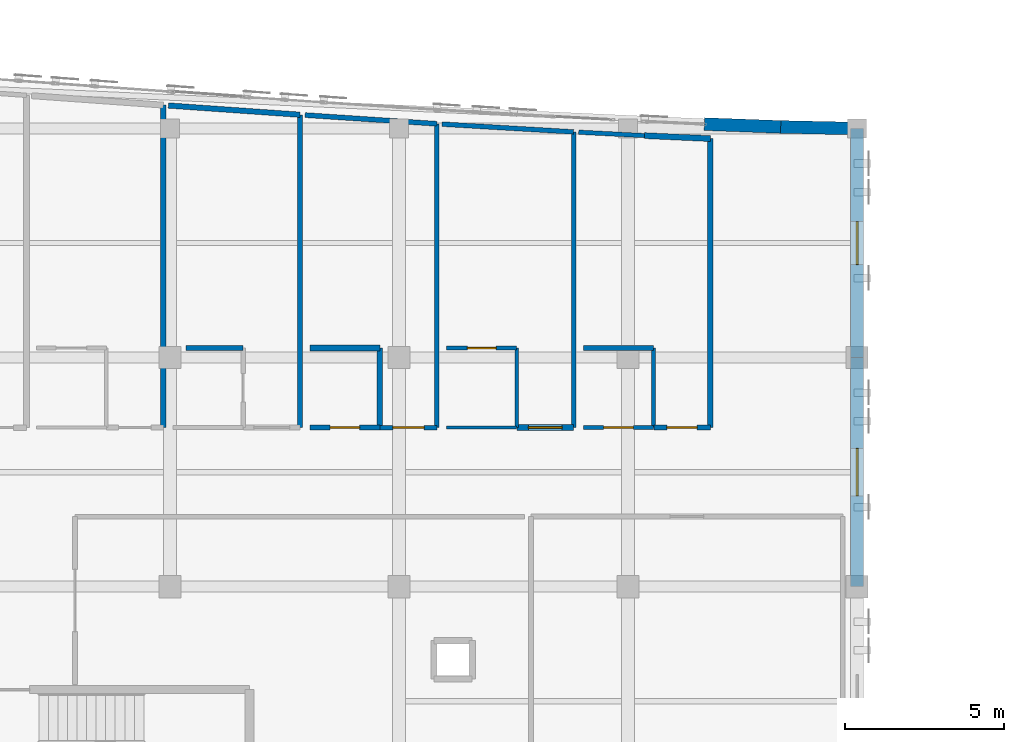
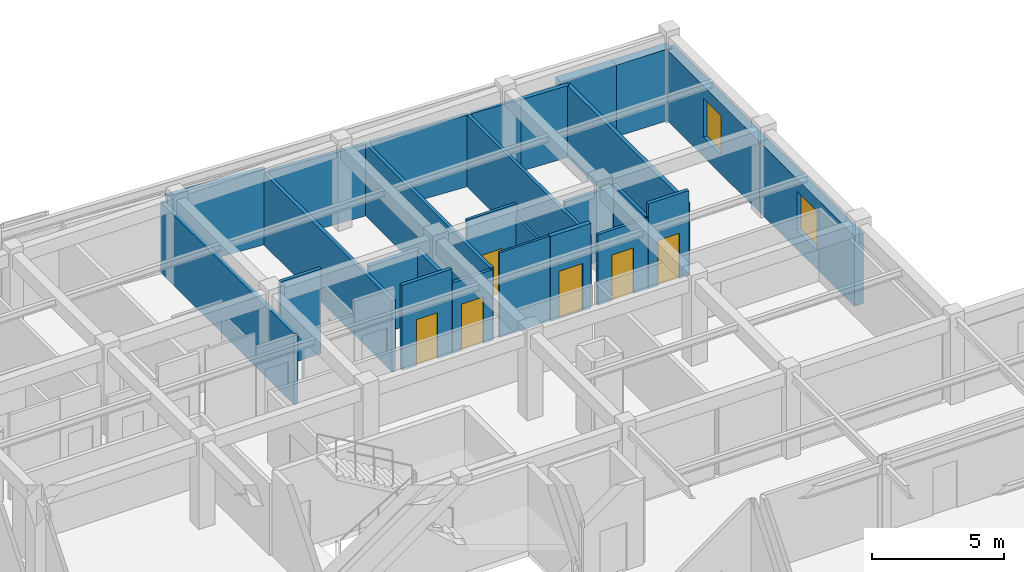
# One storey, part 101 of 113: 27 walls, 6 doors, 2 windows, 8 openings.
"""IFC4 building model written with IfcOpenShell, lengths in metres."""

from ifc_helpers import new_model, si_unit, direction, frame, frame_2d, origin, place, context, subcontext, project, spatial, rectangle, extrude, material, layer, layer_set, type_object, element, fill, save


model = new_model("IFC4")

# Units and contexts
model_context = context("Model", 3, precision=1e-05, world=origin(), true_north=direction((0.0, 1.0)))
body_context = subcontext(model_context, "Body", "Model", "MODEL_VIEW")
ifc_project = project(units=[si_unit("LENGTHUNIT", "METRE"), si_unit("AREAUNIT", "SQUARE_METRE"), si_unit("VOLUMEUNIT", "CUBIC_METRE"), si_unit("PLANEANGLEUNIT", "RADIAN"), si_unit("MASSUNIT", "GRAM", prefix="KILO")], contexts=[model_context])

# Site, building, storey
site_placement = place(None, origin())
site = spatial("IfcSite", under=ifc_project, at=site_placement, CompositionType="ELEMENT")
building_placement = place(site_placement, origin())
building = spatial("IfcBuilding", under=site, at=building_placement, Name="Carrowvane Square Congress Hotel", CompositionType="ELEMENT")
storey_placement = place(building_placement, frame((0.0, 0.0, 15.0)))
storey = spatial("IfcBuildingStorey", under=building, at=storey_placement, Name="L03", CompositionType="ELEMENT", Elevation=15.0)

# Walls
ifc_material_1 = material(Name="Glazed terracotta rainscreen", Category="masonry")
ifc_layer_1 = layer(ifc_material_1, 0.39990234375)
ifc_layer_set_1 = layer_set([ifc_layer_1], Name="Glazed terracotta rainscreen")
wall_type_1 = type_object("IfcWallType", Name="WL-EXT-TC400", PredefinedType="STANDARD", material=ifc_layer_set_1)
wall_1_placement = place(storey_placement, frame((158.0, 113.541015625, 0.0), z_axis=(0.0, 0.0, 1.0), x_axis=(0.99930757318, -0.037207179225, 0.0)))
element("IfcWall", 1, at=wall_1_placement, inside=storey, type_object=wall_type_1, Name="L03 exterior facade wall 356", PredefinedType="STANDARD", context=body_context, shape_type="SweptSolid", body=[
    extrude(rectangle(XDim=2.401611328125, YDim=0.39990234375, at=frame_2d((1.20068359375, 0.0))), origin(), (0.0, 0.0, 1.0), 3.324951171875),
])
wall_2_placement = place(storey_placement, frame((160.39990234375, 113.45166015625, 0.0), z_axis=(0.0, 0.0, 1.0), x_axis=(0.999767568547, -0.021559426766, 0.0)))
element("IfcWall", 2, at=wall_2_placement, inside=storey, type_object=wall_type_1, Name="L03 exterior facade wall 357", PredefinedType="STANDARD", context=body_context, shape_type="SweptSolid", body=[
    extrude(rectangle(XDim=2.400634765625, YDim=0.39990234375, at=frame_2d((1.2001953125, 0.0))), origin(), (0.0, 0.0, 1.0), 3.324951171875),
])

# Wall, opening, window
wall_3_placement = place(storey_placement, frame((162.800048828125, 113.39990234375, 0.0), z_axis=(0.0, 0.0, 1.0), x_axis=(0.0, -1.0, 0.0)))
wall_3 = element("IfcWall", 3, at=wall_3_placement, inside=storey, type_object=wall_type_1, Name="L03 exterior facade wall 358", PredefinedType="STANDARD", context=body_context, shape_type="SweptSolid", body=[
    extrude(rectangle(XDim=7.199951171875, YDim=0.39990234375, at=frame_2d((3.60009765625, 0.0))), origin(), (0.0, 0.0, 1.0), 3.27490234375),
])
opening_1_placement = place(wall_3_placement, frame((2.925048828125, 0.0, 0.89990234375)))
opening_1 = element("IfcOpeningElement", 4, at=opening_1_placement, cuts=wall_3, Name="Opening W-02", PredefinedType="OPENING", context=body_context, shape_type="SweptSolid", body=[
    extrude(rectangle(XDim=1.35009765625, YDim=1.800048828125, at=frame_2d((0.675048828125, 0.89990234375))), frame((0.0, 0.2099609375, 0.0), z_axis=(0.0, -1.0, 0.0), x_axis=(1.0, 0.0, 0.0)), (0.0, 0.0, 1.0), 0.419921875),
])
ifc_material_2 = material(Name="Double-glazed low-E glass", Category="glass")
window_type_1 = type_object("IfcWindowType", Name="WIN-02", PartitioningType="SINGLE_PANEL", PredefinedType="WINDOW", material=ifc_material_2)
window_1_placement = place(opening_1_placement, origin())
window_1 = element("IfcWindow", 5, at=window_1_placement, inside=storey, type_object=window_type_1, Name="L03 facade window 177", OverallHeight=1.800048828125, OverallWidth=1.35009765625, PartitioningType="SINGLE_PANEL", PredefinedType="WINDOW", context=body_context, shape_type="SweptSolid", body=[
    extrude(rectangle(XDim=1.35009765625, YDim=1.800048828125, at=frame_2d((0.675048828125, 0.89990234375))), frame((0.0, 0.030029296875, 0.0), z_axis=(0.0, -1.0, 0.0), x_axis=(1.0, 0.0, 0.0)), (0.0, 0.0, 1.0), 0.06005859375),
])
fill(opening_1, window_1)

wall_4_placement = place(storey_placement, frame((162.800048828125, 106.199951171875, 0.0), z_axis=(0.0, 0.0, 1.0), x_axis=(0.0, -1.0, 0.0)))
wall_4 = element("IfcWall", 6, at=wall_4_placement, inside=storey, type_object=wall_type_1, Name="L03 exterior facade wall 359", PredefinedType="STANDARD", context=body_context, shape_type="SweptSolid", body=[
    extrude(rectangle(XDim=7.199951171875, YDim=0.39990234375, at=frame_2d((3.60009765625, 0.0))), origin(), (0.0, 0.0, 1.0), 3.27490234375),
])
opening_2_placement = place(wall_4_placement, frame((2.85009765625, 0.0, 0.89990234375)))
opening_2 = element("IfcOpeningElement", 7, at=opening_2_placement, cuts=wall_4, Name="Opening W-03", PredefinedType="OPENING", context=body_context, shape_type="SweptSolid", body=[
    extrude(rectangle(XDim=1.5, YDim=1.800048828125, at=frame_2d((0.75, 0.89990234375))), frame((0.0, 0.2099609375, 0.0), z_axis=(0.0, -1.0, 0.0), x_axis=(1.0, 0.0, 0.0)), (0.0, 0.0, 1.0), 0.419921875),
])
ifc_material_3 = material(Name="Double-glazed low-E glass", Category="glass")
window_type_2 = type_object("IfcWindowType", Name="WIN-03", PartitioningType="SINGLE_PANEL", PredefinedType="WINDOW", material=ifc_material_3)
window_2_placement = place(opening_2_placement, origin())
window_2 = element("IfcWindow", 8, at=window_2_placement, inside=storey, type_object=window_type_2, Name="L03 facade window 178", OverallHeight=1.800048828125, OverallWidth=1.5, PartitioningType="SINGLE_PANEL", PredefinedType="WINDOW", context=body_context, shape_type="SweptSolid", body=[
    extrude(rectangle(XDim=1.5, YDim=1.800048828125, at=frame_2d((0.75, 0.89990234375))), frame((0.0, 0.030029296875, 0.0), z_axis=(0.0, -1.0, 0.0), x_axis=(1.0, 0.0, 0.0)), (0.0, 0.0, 1.0), 0.06005859375),
])
fill(opening_2, window_2)

# Wall
ifc_material_4 = material(Name="Acoustic gypsum board", Category="gypsum")
ifc_layer_2 = layer(ifc_material_4, 0.155029296875)
ifc_layer_set_2 = layer_set([ifc_layer_2], Name="Acoustic gypsum board")
wall_type_2 = type_object("IfcWallType", Name="WL-FIR-155", PredefinedType="PARTITIONING", material=ifc_layer_set_2)
wall_5_placement = place(storey_placement, frame((145.2900390625, 113.83447265625, 0.0), z_axis=(0.0, 0.0, 1.0), x_axis=(0.0, -1.0, 0.0)))
element("IfcWall", 9, at=wall_5_placement, inside=storey, type_object=wall_type_2, Name="L03 Parkview Guest Bedroom 0322 partition", PredefinedType="PARTITIONING", context=body_context, shape_type="SweptSolid", body=[
    extrude(rectangle(XDim=9.83447265625, YDim=0.155029296875, at=frame_2d((4.917236328125, 0.0))), origin(), (0.0, 0.0, 1.0), 3.324951171875),
])

# Wall, opening, door
wall_6_placement = place(storey_placement, frame((147.800048828125, 104.0, 0.0), z_axis=(0.0, 0.0, 1.0), x_axis=(-1.0, 0.0, 0.0)))
wall_6 = element("IfcWall", 10, at=wall_6_placement, inside=storey, type_object=wall_type_2, Name="L03 En-suite Bathroom 0323 partition", PredefinedType="PARTITIONING", context=body_context, shape_type="SweptSolid", body=[
    extrude(rectangle(XDim=2.199951171875, YDim=0.155029296875, at=frame_2d((1.10009765625, 0.0))), origin(), (0.0, 0.0, 1.0), 3.93994140625),
])
opening_3_placement = place(wall_6_placement, frame((0.635009765625, 0.0, 0.0)))
opening_3 = element("IfcOpeningElement", 11, at=opening_3_placement, cuts=wall_6, Name="Opening ID-18", PredefinedType="OPENING", context=body_context, shape_type="SweptSolid", body=[
    extrude(rectangle(XDim=0.929931640625, YDim=2.1298828125, at=frame_2d((0.46484375, 1.06494140625))), frame((0.0, 0.08740234375, 0.0), z_axis=(0.0, -1.0, 0.0), x_axis=(1.0, 0.0, 0.0)), (0.0, 0.0, 1.0), 0.175048828125),
])
ifc_material_5 = material(Name="European oak timber", Category="wood")
door_type_1 = type_object("IfcDoorType", Name="DR-INT-0930x2130", OperationType="NOTDEFINED", PredefinedType="DOOR", material=ifc_material_5)
door_1_placement = place(opening_3_placement, origin())
door_1 = element("IfcDoor", 12, at=door_1_placement, inside=storey, type_object=door_type_1, Name="L03 En-suite Bathroom 0323 door", OperationType="SINGLE_SWING_LEFT", OverallHeight=2.1298828125, OverallWidth=0.929931640625, PredefinedType="DOOR", context=body_context, shape_type="SweptSolid", body=[
    extrude(rectangle(XDim=0.929931640625, YDim=2.1298828125, at=frame_2d((0.46484375, 1.06494140625))), frame((0.0, 0.02490234375, 0.0), z_axis=(0.0, -1.0, 0.0), x_axis=(1.0, 0.0, 0.0)), (0.0, 0.0, 1.0), 0.050048828125),
])
fill(opening_3, door_1)

# Wall
wall_7_placement = place(storey_placement, frame((145.449951171875, 113.823486328125, 0.0), z_axis=(0.0, 0.0, 1.0), x_axis=(0.997822232691, -0.06596053325, 0.0)))
element("IfcWall", 13, at=wall_7_placement, inside=storey, type_object=wall_type_2, Name="L03 Parkview Guest Bedroom 0323 partition", PredefinedType="PARTITIONING", context=body_context, shape_type="SweptSolid", body=[
    extrude(rectangle(XDim=4.149169921875, YDim=0.155029296875, at=frame_2d((2.07470703125, 0.0))), origin(), (0.0, 0.0, 1.0), 3.324951171875),
])

# Wall, opening, door
wall_8_placement = place(storey_placement, frame((158.18994140625, 104.0, 0.0), z_axis=(0.0, 0.0, 1.0), x_axis=(-1.0, 0.0, 0.0)))
wall_8 = element("IfcWall", 14, at=wall_8_placement, inside=storey, type_object=wall_type_2, Name="L03 Parkview Guest Bedroom 0325 partition", PredefinedType="PARTITIONING", context=body_context, shape_type="SweptSolid", body=[
    extrude(rectangle(XDim=1.780029296875, YDim=0.155029296875, at=frame_2d((0.89013671875, 0.0))), origin(), (0.0, 0.0, 1.0), 3.93994140625),
])
opening_4_placement = place(wall_8_placement, frame((0.4150390625, 0.0, 0.0)))
opening_4 = element("IfcOpeningElement", 15, at=opening_4_placement, cuts=wall_8, Name="Opening FD-06", PredefinedType="OPENING", context=body_context, shape_type="SweptSolid", body=[
    extrude(rectangle(XDim=0.949951171875, YDim=2.10009765625, at=frame_2d((0.47509765625, 1.050048828125))), frame((0.0, 0.08740234375, 0.0), z_axis=(0.0, -1.0, 0.0), x_axis=(1.0, 0.0, 0.0)), (0.0, 0.0, 1.0), 0.175048828125),
])
ifc_material_6 = material(Name="European oak timber", Category="wood")
door_type_2 = type_object("IfcDoorType", Name="DR-FD30-0950x2100", OperationType="NOTDEFINED", PredefinedType="DOOR", material=ifc_material_6)
door_2_placement = place(opening_4_placement, origin())
door_2 = element("IfcDoor", 16, at=door_2_placement, inside=storey, type_object=door_type_2, Name="L03 Parkview Guest Bedroom 0325 entrance door", OperationType="SINGLE_SWING_RIGHT", OverallHeight=2.10009765625, OverallWidth=0.949951171875, PredefinedType="DOOR", context=body_context, shape_type="SweptSolid", body=[
    extrude(rectangle(XDim=0.949951171875, YDim=2.10009765625, at=frame_2d((0.47509765625, 1.050048828125))), frame((0.0, 0.02490234375, 0.0), z_axis=(0.0, -1.0, 0.0), x_axis=(1.0, 0.0, 0.0)), (0.0, 0.0, 1.0), 0.050048828125),
])
fill(opening_4, door_2)

# Walls
ifc_material_7 = material(Name="Acoustic gypsum board", Category="gypsum")
ifc_layer_3 = layer(ifc_material_7, 0.169921875)
ifc_layer_set_3 = layer_set([ifc_layer_3], Name="Acoustic gypsum board")
wall_type_3 = type_object("IfcWallType", Name="WL-FIR-170", PredefinedType="PARTITIONING", material=ifc_layer_set_3)
wall_9_placement = place(storey_placement, frame((140.989990234375, 114.13623046875, 0.0), z_axis=(0.0, 0.0, 1.0), x_axis=(0.0, -1.0, 0.0)))
element("IfcWall", 17, at=wall_9_placement, inside=storey, type_object=wall_type_3, Name="L03 Parkview Guest Bedroom 0321 partition", PredefinedType="PARTITIONING", context=body_context, shape_type="SweptSolid", body=[
    extrude(rectangle(XDim=10.13623046875, YDim=0.169921875, at=frame_2d((5.068115234375, 0.0))), origin(), (0.0, 0.0, 1.0), 3.27490234375),
])
wall_10_placement = place(storey_placement, frame((141.14990234375, 114.124755859375, 0.0), z_axis=(0.0, 0.0, 1.0), x_axis=(0.997551011222, -0.069942690904, 0.0)))
element("IfcWall", 18, at=wall_10_placement, inside=storey, type_object=wall_type_3, Name="L03 Parkview Guest Bedroom 0322 partition", PredefinedType="PARTITIONING", context=body_context, shape_type="SweptSolid", body=[
    extrude(rectangle(XDim=4.150390625, YDim=0.169921875, at=frame_2d((2.0751953125, 0.0))), origin(), (0.0, 0.0, 1.0), 3.515625),
])
wall_11_placement = place(storey_placement, frame((147.800048828125, 106.5, 0.0), z_axis=(0.0, 0.0, 1.0), x_axis=(0.0, -1.0, 0.0)))
element("IfcWall", 19, at=wall_11_placement, inside=storey, type_object=wall_type_3, Name="L03 En-suite Bathroom 0323 partition", PredefinedType="PARTITIONING", context=body_context, shape_type="SweptSolid", body=[
    extrude(rectangle(XDim=2.5, YDim=0.169921875, at=frame_2d((1.25, 0.0))), origin(), (0.0, 0.0, 1.0), 3.324951171875),
])
wall_12_placement = place(storey_placement, frame((158.18994140625, 113.083984375, 0.0), z_axis=(0.0, 0.0, 1.0), x_axis=(0.0, -1.0, 0.0)))
element("IfcWall", 20, at=wall_12_placement, inside=storey, type_object=wall_type_3, Name="L03 Parkview Guest Bedroom 0325 partition", PredefinedType="PARTITIONING", context=body_context, shape_type="SweptSolid", body=[
    extrude(rectangle(XDim=9.083984375, YDim=0.169921875, at=frame_2d((4.5419921875, 0.0))), origin(), (0.0, 0.0, 1.0), 3.324951171875),
])
ifc_material_8 = material(Name="Acoustic gypsum board", Category="gypsum")
ifc_layer_4 = layer(ifc_material_8, 0.18505859375)
ifc_layer_set_4 = layer_set([ifc_layer_4], Name="Acoustic gypsum board")
wall_type_4 = type_object("IfcWallType", Name="WL-FIR-185", PredefinedType="PARTITIONING", material=ifc_layer_set_4)
wall_13_placement = place(storey_placement, frame((145.60009765625, 106.5, 0.0), z_axis=(0.0, 0.0, 1.0), x_axis=(1.0, 0.0, 0.0)))
element("IfcWall", 21, at=wall_13_placement, inside=storey, type_object=wall_type_4, Name="L03 En-suite Bathroom 0323 partition", PredefinedType="PARTITIONING", context=body_context, shape_type="SweptSolid", body=[
    extrude(rectangle(XDim=2.199951171875, YDim=0.18505859375, at=frame_2d((1.10009765625, 0.0))), origin(), (0.0, 0.0, 1.0), 3.324951171875),
])

# Wall, opening, door
wall_14_placement = place(storey_placement, frame((153.889892578125, 104.0, 0.0), z_axis=(0.0, 0.0, 1.0), x_axis=(-1.0, 0.0, 0.0)))
wall_14 = element("IfcWall", 22, at=wall_14_placement, inside=storey, type_object=wall_type_4, Name="L03 Parkview Guest Bedroom 0324 partition", PredefinedType="PARTITIONING", context=body_context, shape_type="SweptSolid", body=[
    extrude(rectangle(XDim=1.77978515625, YDim=0.18505859375, at=frame_2d((0.889892578125, 0.0))), origin(), (0.0, 0.0, 1.0), 3.93994140625),
])
opening_5_placement = place(wall_14_placement, frame((0.360107421875, 0.0, 0.0)))
opening_5 = element("IfcOpeningElement", 23, at=opening_5_placement, cuts=wall_14, Name="Opening FD-09", PredefinedType="OPENING", context=body_context, shape_type="SweptSolid", body=[
    extrude(rectangle(XDim=1.06005859375, YDim=2.199951171875, at=frame_2d((0.530029296875, 1.10009765625))), frame((0.0, 0.1025390625, 0.0), z_axis=(0.0, -1.0, 0.0), x_axis=(1.0, 0.0, 0.0)), (0.0, 0.0, 1.0), 0.205078125),
])
ifc_material_9 = material(Name="European oak timber", Category="wood")
door_type_3 = type_object("IfcDoorType", Name="DR-FD30-1060x2200", OperationType="NOTDEFINED", PredefinedType="DOOR", material=ifc_material_9)
door_3_placement = place(opening_5_placement, origin())
door_3 = element("IfcDoor", 24, at=door_3_placement, inside=storey, type_object=door_type_3, Name="L03 Parkview Guest Bedroom 0324 entrance door", OperationType="SINGLE_SWING_RIGHT", OverallHeight=2.199951171875, OverallWidth=1.06005859375, PredefinedType="DOOR", context=body_context, shape_type="SweptSolid", body=[
    extrude(rectangle(XDim=1.06005859375, YDim=2.199951171875, at=frame_2d((0.530029296875, 1.10009765625))), frame((0.0, 0.02490234375, 0.0), z_axis=(0.0, -1.0, 0.0), x_axis=(1.0, 0.0, 0.0)), (0.0, 0.0, 1.0), 0.050048828125),
])
fill(opening_5, door_3)

# Walls
wall_15_placement = place(storey_placement, frame((156.1201171875, 113.178466796875, 0.0), z_axis=(0.0, 0.0, 1.0), x_axis=(0.998959775561, -0.045600074681, 0.0)))
element("IfcWall", 25, at=wall_15_placement, inside=storey, type_object=wall_type_4, Name="L03 Parkview Guest Bedroom 0325 partition", PredefinedType="PARTITIONING", context=body_context, shape_type="SweptSolid", body=[
    extrude(rectangle(XDim=2.072021484375, YDim=0.18505859375, at=frame_2d((1.0361328125, 0.0))), origin(), (0.0, 0.0, 1.0), 3.324951171875),
])
ifc_material_10 = material(Name="Acoustic gypsum board", Category="gypsum")
ifc_layer_5 = layer(ifc_material_10, 0.097900390625)
ifc_layer_set_5 = layer_set([ifc_layer_5], Name="Acoustic gypsum board")
wall_type_5 = type_object("IfcWallType", Name="WL-PRT-098", PredefinedType="PARTITIONING", material=ifc_layer_set_5)
wall_16_placement = place(storey_placement, frame((152.10009765625, 104.0, 0.0), z_axis=(0.0, 0.0, 1.0), x_axis=(-1.0, 0.0, 0.0)))
element("IfcWall", 26, at=wall_16_placement, inside=storey, type_object=wall_type_5, Name="L03 En-suite Bathroom 0324 partition", PredefinedType="PARTITIONING", context=body_context, shape_type="SweptSolid", body=[
    extrude(rectangle(XDim=2.2001953125, YDim=0.097900390625, at=frame_2d((1.10009765625, 0.0))), origin(), (0.0, 0.0, 1.0), 3.93994140625),
])
ifc_material_11 = material(Name="Acoustic gypsum board", Category="gypsum")
ifc_layer_6 = layer(ifc_material_11, 0.10791015625)
ifc_layer_set_6 = layer_set([ifc_layer_6], Name="Acoustic gypsum board")
wall_type_6 = type_object("IfcWallType", Name="WL-PRT-108", PredefinedType="PARTITIONING", material=ifc_layer_set_6)
wall_17_placement = place(storey_placement, frame((152.10009765625, 106.5, 0.0), z_axis=(0.0, 0.0, 1.0), x_axis=(0.0, -1.0, 0.0)))
element("IfcWall", 27, at=wall_17_placement, inside=storey, type_object=wall_type_6, Name="L03 En-suite Bathroom 0324 partition", PredefinedType="PARTITIONING", context=body_context, shape_type="SweptSolid", body=[
    extrude(rectangle(XDim=2.5, YDim=0.10791015625, at=frame_2d((1.25, 0.0))), origin(), (0.0, 0.0, 1.0), 3.324951171875),
])

# Wall, opening, door
ifc_material_12 = material(Name="Acoustic gypsum board", Category="gypsum")
ifc_layer_7 = layer(ifc_material_12, 0.117919921875)
ifc_layer_set_7 = layer_set([ifc_layer_7], Name="Acoustic gypsum board")
wall_type_7 = type_object("IfcWallType", Name="WL-PRT-118", PredefinedType="PARTITIONING", material=ifc_layer_set_7)
wall_18_placement = place(storey_placement, frame((149.89990234375, 106.5, 0.0), z_axis=(0.0, 0.0, 1.0), x_axis=(1.0, 0.0, 0.0)))
wall_18 = element("IfcWall", 28, at=wall_18_placement, inside=storey, type_object=wall_type_7, Name="L03 En-suite Bathroom 0324 partition", PredefinedType="PARTITIONING", context=body_context, shape_type="SweptSolid", body=[
    extrude(rectangle(XDim=2.2001953125, YDim=0.117919921875, at=frame_2d((1.10009765625, 0.0))), origin(), (0.0, 0.0, 1.0), 3.93994140625),
])
opening_6_placement = place(wall_18_placement, frame((0.64990234375, 0.0, 0.0)))
opening_6 = element("IfcOpeningElement", 29, at=opening_6_placement, cuts=wall_18, Name="Opening ID-02", PredefinedType="OPENING", context=body_context, shape_type="SweptSolid", body=[
    extrude(rectangle(XDim=0.89990234375, YDim=2.080078125, at=frame_2d((0.449951171875, 1.0400390625))), frame((0.0, 0.06884765625, 0.0), z_axis=(0.0, -1.0, 0.0), x_axis=(1.0, 0.0, 0.0)), (0.0, 0.0, 1.0), 0.137939453125),
])
ifc_material_13 = material(Name="European oak timber", Category="wood")
door_type_4 = type_object("IfcDoorType", Name="DR-INT-0900x2080", OperationType="NOTDEFINED", PredefinedType="DOOR", material=ifc_material_13)
door_4_placement = place(opening_6_placement, origin())
door_4 = element("IfcDoor", 30, at=door_4_placement, inside=storey, type_object=door_type_4, Name="L03 En-suite Bathroom 0324 door", OperationType="SINGLE_SWING_LEFT", OverallHeight=2.080078125, OverallWidth=0.89990234375, PredefinedType="DOOR", context=body_context, shape_type="SweptSolid", body=[
    extrude(rectangle(XDim=0.89990234375, YDim=2.080078125, at=frame_2d((0.449951171875, 1.0400390625))), frame((0.0, 0.02490234375, 0.0), z_axis=(0.0, -1.0, 0.0), x_axis=(1.0, 0.0, 0.0)), (0.0, 0.0, 1.0), 0.050048828125),
])
fill(opening_6, door_4)

ifc_material_14 = material(Name="Acoustic gypsum board", Category="gypsum")
ifc_layer_8 = layer(ifc_material_14, 0.1279296875)
ifc_layer_set_8 = layer_set([ifc_layer_8], Name="Acoustic gypsum board")
wall_type_8 = type_object("IfcWallType", Name="WL-PRT-128", PredefinedType="PARTITIONING", material=ifc_layer_set_8)
wall_19_placement = place(storey_placement, frame((156.39990234375, 104.0, 0.0), z_axis=(0.0, 0.0, 1.0), x_axis=(-1.0, 0.0, 0.0)))
wall_19 = element("IfcWall", 31, at=wall_19_placement, inside=storey, type_object=wall_type_8, Name="L03 En-suite Bathroom 0325 partition", PredefinedType="PARTITIONING", context=body_context, shape_type="SweptSolid", body=[
    extrude(rectangle(XDim=2.199951171875, YDim=0.1279296875, at=frame_2d((1.10009765625, 0.0))), origin(), (0.0, 0.0, 1.0), 3.27490234375),
])
opening_7_placement = place(wall_19_placement, frame((0.6298828125, 0.0, 0.0)))
opening_7 = element("IfcOpeningElement", 32, at=opening_7_placement, cuts=wall_19, Name="Opening ID-04", PredefinedType="OPENING", context=body_context, shape_type="SweptSolid", body=[
    extrude(rectangle(XDim=0.93994140625, YDim=2.1201171875, at=frame_2d((0.469970703125, 1.06005859375))), frame((0.0, 0.073974609375, 0.0), z_axis=(0.0, -1.0, 0.0), x_axis=(1.0, 0.0, 0.0)), (0.0, 0.0, 1.0), 0.14794921875),
])
ifc_material_15 = material(Name="European oak timber", Category="wood")
door_type_5 = type_object("IfcDoorType", Name="DR-INT-0940x2120", OperationType="NOTDEFINED", PredefinedType="DOOR", material=ifc_material_15)
door_5_placement = place(opening_7_placement, origin())
door_5 = element("IfcDoor", 33, at=door_5_placement, inside=storey, type_object=door_type_5, Name="L03 En-suite Bathroom 0325 door", OperationType="SINGLE_SWING_LEFT", OverallHeight=2.1201171875, OverallWidth=0.93994140625, PredefinedType="DOOR", context=body_context, shape_type="SweptSolid", body=[
    extrude(rectangle(XDim=0.93994140625, YDim=2.1201171875, at=frame_2d((0.469970703125, 1.06005859375))), frame((0.0, 0.02490234375, 0.0), z_axis=(0.0, -1.0, 0.0), x_axis=(1.0, 0.0, 0.0)), (0.0, 0.0, 1.0), 0.050048828125),
])
fill(opening_7, door_5)

ifc_material_16 = material(Name="Acoustic gypsum board", Category="gypsum")
ifc_layer_9 = layer(ifc_material_16, 0.137939453125)
ifc_layer_set_9 = layer_set([ifc_layer_9], Name="Acoustic gypsum board")
wall_type_9 = type_object("IfcWallType", Name="WL-PRT-138", PredefinedType="PARTITIONING", material=ifc_layer_set_9)
wall_20_placement = place(storey_placement, frame((149.590087890625, 104.0, 0.0), z_axis=(0.0, 0.0, 1.0), x_axis=(-1.0, 0.0, 0.0)))
wall_20 = element("IfcWall", 34, at=wall_20_placement, inside=storey, type_object=wall_type_9, Name="L03 Parkview Guest Bedroom 0323 partition", PredefinedType="PARTITIONING", context=body_context, shape_type="SweptSolid", body=[
    extrude(rectangle(XDim=1.780029296875, YDim=0.137939453125, at=frame_2d((0.89013671875, 0.0))), origin(), (0.0, 0.0, 1.0), 3.27490234375),
])
opening_8_placement = place(wall_20_placement, frame((0.39990234375, 0.0, 0.0)))
opening_8 = element("IfcOpeningElement", 35, at=opening_8_placement, cuts=wall_20, Name="Opening FD-07", PredefinedType="OPENING", context=body_context, shape_type="SweptSolid", body=[
    extrude(rectangle(XDim=0.97998046875, YDim=2.14990234375, at=frame_2d((0.489990234375, 1.074951171875))), frame((0.0, 0.078857421875, 0.0), z_axis=(0.0, -1.0, 0.0), x_axis=(1.0, 0.0, 0.0)), (0.0, 0.0, 1.0), 0.157958984375),
])
ifc_material_17 = material(Name="European oak timber", Category="wood")
door_type_6 = type_object("IfcDoorType", Name="DR-FD30-0980x2150", OperationType="NOTDEFINED", PredefinedType="DOOR", material=ifc_material_17)
door_6_placement = place(opening_8_placement, origin())
door_6 = element("IfcDoor", 36, at=door_6_placement, inside=storey, type_object=door_type_6, Name="L03 Parkview Guest Bedroom 0323 entrance door", OperationType="SINGLE_SWING_RIGHT", OverallHeight=2.14990234375, OverallWidth=0.97998046875, PredefinedType="DOOR", context=body_context, shape_type="SweptSolid", body=[
    extrude(rectangle(XDim=0.97998046875, YDim=2.14990234375, at=frame_2d((0.489990234375, 1.074951171875))), frame((0.0, 0.02490234375, 0.0), z_axis=(0.0, -1.0, 0.0), x_axis=(1.0, 0.0, 0.0)), (0.0, 0.0, 1.0), 0.050048828125),
])
fill(opening_8, door_6)

# Walls
wall_21_placement = place(storey_placement, frame((153.889892578125, 113.29443359375, 0.0), z_axis=(0.0, 0.0, 1.0), x_axis=(0.0, -1.0, 0.0)))
element("IfcWall", 37, at=wall_21_placement, inside=storey, type_object=wall_type_9, Name="L03 Parkview Guest Bedroom 0324 partition", PredefinedType="PARTITIONING", context=body_context, shape_type="SweptSolid", body=[
    extrude(rectangle(XDim=9.29443359375, YDim=0.137939453125, at=frame_2d((4.647216796875, 0.0))), origin(), (0.0, 0.0, 1.0), 3.324951171875),
])
wall_22_placement = place(storey_placement, frame((156.39990234375, 106.5, 0.0), z_axis=(0.0, 0.0, 1.0), x_axis=(0.0, -1.0, 0.0)))
element("IfcWall", 38, at=wall_22_placement, inside=storey, type_object=wall_type_9, Name="L03 En-suite Bathroom 0325 partition", PredefinedType="PARTITIONING", context=body_context, shape_type="SweptSolid", body=[
    extrude(rectangle(XDim=2.5, YDim=0.137939453125, at=frame_2d((1.25, 0.0))), origin(), (0.0, 0.0, 1.0), 3.324951171875),
])
wall_23_placement = place(storey_placement, frame((154.050048828125, 113.285888671875, 0.0), z_axis=(0.0, 0.0, 1.0), x_axis=(0.998656276099, -0.051823182154, 0.0)))
element("IfcWall", 39, at=wall_23_placement, inside=storey, type_object=wall_type_9, Name="L03 Parkview Guest Bedroom 0325 partition", PredefinedType="PARTITIONING", context=body_context, shape_type="SweptSolid", body=[
    extrude(rectangle(XDim=2.07275390625, YDim=0.137939453125, at=frame_2d((1.036376953125, 0.0))), origin(), (0.0, 0.0, 1.0), 3.324951171875),
])
ifc_material_18 = material(Name="Acoustic gypsum board", Category="gypsum")
ifc_layer_10 = layer(ifc_material_18, 0.14794921875)
ifc_layer_set_10 = layer_set([ifc_layer_10], Name="Acoustic gypsum board")
wall_type_10 = type_object("IfcWallType", Name="WL-PRT-148", PredefinedType="PARTITIONING", material=ifc_layer_set_10)
wall_24_placement = place(storey_placement, frame((141.7099609375, 106.5, 0.0), z_axis=(0.0, 0.0, 1.0), x_axis=(1.0, 0.0, 0.0)))
element("IfcWall", 40, at=wall_24_placement, inside=storey, type_object=wall_type_10, Name="L03 En-suite Bathroom 0322 partition", PredefinedType="PARTITIONING", context=body_context, shape_type="SweptSolid", body=[
    extrude(rectangle(XDim=1.7900390625, YDim=0.14794921875, at=frame_2d((0.89501953125, 0.0))), origin(), (0.0, 0.0, 1.0), 3.93994140625),
])
wall_25_placement = place(storey_placement, frame((149.590087890625, 113.5498046875, 0.0), z_axis=(0.0, 0.0, 1.0), x_axis=(0.0, -1.0, 0.0)))
element("IfcWall", 41, at=wall_25_placement, inside=storey, type_object=wall_type_10, Name="L03 Parkview Guest Bedroom 0323 partition", PredefinedType="PARTITIONING", context=body_context, shape_type="SweptSolid", body=[
    extrude(rectangle(XDim=9.5498046875, YDim=0.14794921875, at=frame_2d((4.77490234375, 0.0))), origin(), (0.0, 0.0, 1.0), 3.324951171875),
])
wall_26_placement = place(storey_placement, frame((149.75, 113.539794921875, 0.0), z_axis=(0.0, 0.0, 1.0), x_axis=(0.998248291715, -0.059163739646, 0.0)))
element("IfcWall", 42, at=wall_26_placement, inside=storey, type_object=wall_type_10, Name="L03 Parkview Guest Bedroom 0324 partition", PredefinedType="PARTITIONING", context=body_context, shape_type="SweptSolid", body=[
    extrude(rectangle(XDim=4.147216796875, YDim=0.14794921875, at=frame_2d((2.07373046875, 0.0))), origin(), (0.0, 0.0, 1.0), 3.324951171875),
])
wall_27_placement = place(storey_placement, frame((154.199951171875, 106.5, 0.0), z_axis=(0.0, 0.0, 1.0), x_axis=(1.0, 0.0, 0.0)))
element("IfcWall", 43, at=wall_27_placement, inside=storey, type_object=wall_type_10, Name="L03 En-suite Bathroom 0325 partition", PredefinedType="PARTITIONING", context=body_context, shape_type="SweptSolid", body=[
    extrude(rectangle(XDim=2.199951171875, YDim=0.14794921875, at=frame_2d((1.10009765625, 0.0))), origin(), (0.0, 0.0, 1.0), 3.27490234375),
])

save(model, "model.ifc")
